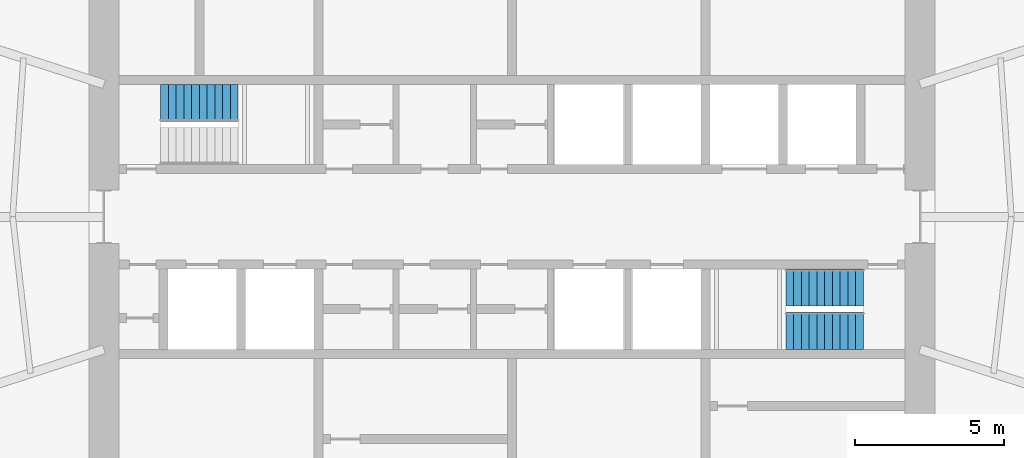
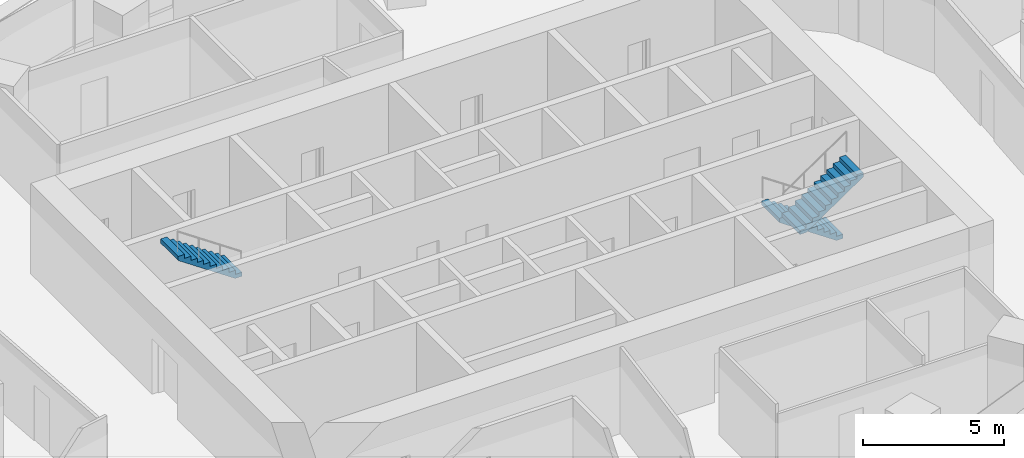
# One storey, part 15 of 17: 3 stair flights, 2 elements without a shape of their own.
"""IFC4 building model written with IfcOpenShell, lengths in metres."""

from ifc_helpers import new_model, si_unit, direction, frame, origin, place, context, subcontext, project, spatial, polyline, outline, extrude, material, type_object, element, aggregate, save


model = new_model("IFC4")

# Units and contexts
model_context = context("Model", 3, precision=1e-05, world=origin(), true_north=direction((0.0, 1.0)))
body_context = subcontext(model_context, "Body", "Model", "MODEL_VIEW")
ifc_project = project(units=[si_unit("LENGTHUNIT", "METRE"), si_unit("AREAUNIT", "SQUARE_METRE"), si_unit("VOLUMEUNIT", "CUBIC_METRE"), si_unit("PLANEANGLEUNIT", "RADIAN"), si_unit("MASSUNIT", "GRAM", prefix="KILO")], contexts=[model_context])

# Site, building, storey
site_placement = place(None, origin())
site = spatial("IfcSite", under=ifc_project, at=site_placement, CompositionType="ELEMENT")
building_placement = place(site_placement, origin())
building = spatial("IfcBuilding", under=site, at=building_placement, Name="Marramba Exchange Tower", CompositionType="ELEMENT")
storey_placement = place(building_placement, frame((0.0, 0.0, 172.10009765625)))
storey = spatial("IfcBuildingStorey", under=building, at=storey_placement, Name="L41", CompositionType="ELEMENT", Elevation=172.10009765625)

# Stair, stair flight
ifc_material = material(Name="Concrete N40 (40 MPa)", Category="concrete")
stair_type_1 = type_object("IfcStairType", Name="Exit stair ST1 3900 x 1250", PredefinedType="HALF_TURN_STAIR", material=ifc_material)
stair_1_placement = place(storey_placement, origin())
stair_1 = element("IfcStair", 1, at=stair_1_placement, inside=storey, type_object=stair_type_1, Name="Exit stair ST1 L41", PredefinedType="HALF_TURN_STAIR")
stair_flight_type_1 = type_object("IfcStairFlightType", Name="ST1 stair flight 1773 riser 1250 wide", PredefinedType="STRAIGHT", material=ifc_material)
stair_flight_1_placement = place(storey_placement, frame((-9.199951171875, 3.824951171875, 1.949951171875), z_axis=(0.0, 0.0, 1.0), x_axis=(-1.0, 0.0, 0.0)))
stair_flight_1 = element("IfcStairFlight", 2, at=stair_flight_1_placement, type_object=stair_flight_type_1, Name="ST1 flight 2", NumberOfRisers=11, NumberOfTreads=10, PredefinedType="STRAIGHT", RiserHeight=0.177272727, TreadLength=0.26, context=body_context, shape_type="SweptSolid", body=[
    extrude(outline(polyline([(0.0, 0.0), (0.0, 0.17724609375), (0.260009765625, 0.17724609375), (0.260009765625, 0.3544921875), (0.52001953125, 0.3544921875), (0.52001953125, 0.53173828125), (0.780029296875, 0.53173828125), (0.780029296875, 0.708984375), (1.0400390625, 0.708984375), (1.0400390625, 0.886474609375), (1.300048828125, 0.886474609375), (1.300048828125, 1.063720703125), (1.56005859375, 1.063720703125), (1.56005859375, 1.240966796875), (1.820068359375, 1.240966796875), (1.820068359375, 1.418212890625), (2.080078125, 1.418212890625), (2.080078125, 1.595458984375), (2.340087890625, 1.595458984375), (2.340087890625, 1.772705078125), (2.60009765625, 1.772705078125), (2.60009765625, 1.949951171875), (2.60009765625, 1.59130859375), (0.26611328125, 0.0), (0.0, 0.0)])), frame((0.0, 0.625, 0.0), z_axis=(0.0, -1.0, 0.0), x_axis=(1.0, 0.0, 0.0)), (0.0, 0.0, 1.0), 1.25),
])
aggregate(stair_1, [stair_flight_1])

# Stair, stair flights
stair_type_2 = type_object("IfcStairType", Name="Exit stair ST2 3900 x 1250", PredefinedType="HALF_TURN_STAIR", material=ifc_material)
stair_2_placement = place(storey_placement, origin())
stair_2 = element("IfcStair", 3, at=stair_2_placement, inside=storey, type_object=stair_type_2, Name="Exit stair ST2 L41", PredefinedType="HALF_TURN_STAIR")
stair_flight_type_2 = type_object("IfcStairFlightType", Name="ST2 stair flight 1773 riser 1250 wide", PredefinedType="STRAIGHT", material=ifc_material)
stair_flight_2_placement = place(storey_placement, frame((11.800048828125, -2.375, 0.0), z_axis=(0.0, 0.0, 1.0), x_axis=(-1.0, 0.0, 0.0)))
stair_flight_2 = element("IfcStairFlight", 4, at=stair_flight_2_placement, type_object=stair_flight_type_2, Name="ST2 flight 1", NumberOfRisers=11, NumberOfTreads=10, PredefinedType="STRAIGHT", RiserHeight=0.177272727, TreadLength=0.26, context=body_context, shape_type="SweptSolid", body=[
    extrude(outline(polyline([(0.0, 0.0), (0.0, 0.17724609375), (0.260009765625, 0.17724609375), (0.260009765625, 0.3544921875), (0.52001953125, 0.3544921875), (0.52001953125, 0.53173828125), (0.780029296875, 0.53173828125), (0.780029296875, 0.708984375), (1.0400390625, 0.708984375), (1.0400390625, 0.886474609375), (1.300048828125, 0.886474609375), (1.300048828125, 1.063720703125), (1.56005859375, 1.063720703125), (1.56005859375, 1.240966796875), (1.820068359375, 1.240966796875), (1.820068359375, 1.418212890625), (2.080078125, 1.418212890625), (2.080078125, 1.595458984375), (2.340087890625, 1.595458984375), (2.340087890625, 1.772705078125), (2.60009765625, 1.772705078125), (2.60009765625, 1.949951171875), (2.60009765625, 1.59130859375), (0.26611328125, 0.0), (0.0, 0.0)])), frame((0.0, 0.625, 0.0), z_axis=(0.0, -1.0, 0.0), x_axis=(1.0, 0.0, 0.0)), (0.0, 0.0, 1.0), 1.25),
])
stair_flight_3_placement = place(storey_placement, frame((9.199951171875, -3.824951171875, 1.949951171875), z_axis=(0.0, 0.0, 1.0), x_axis=(1.0, 0.0, 0.0)))
stair_flight_3 = element("IfcStairFlight", 5, at=stair_flight_3_placement, type_object=stair_flight_type_2, Name="ST2 flight 2", NumberOfRisers=11, NumberOfTreads=10, PredefinedType="STRAIGHT", RiserHeight=0.177272727, TreadLength=0.26, context=body_context, shape_type="SweptSolid", body=[
    extrude(outline(polyline([(0.0, 0.0), (0.0, 0.17724609375), (0.260009765625, 0.17724609375), (0.260009765625, 0.3544921875), (0.52001953125, 0.3544921875), (0.52001953125, 0.53173828125), (0.780029296875, 0.53173828125), (0.780029296875, 0.708984375), (1.0400390625, 0.708984375), (1.0400390625, 0.886474609375), (1.300048828125, 0.886474609375), (1.300048828125, 1.063720703125), (1.56005859375, 1.063720703125), (1.56005859375, 1.240966796875), (1.820068359375, 1.240966796875), (1.820068359375, 1.418212890625), (2.080078125, 1.418212890625), (2.080078125, 1.595458984375), (2.340087890625, 1.595458984375), (2.340087890625, 1.772705078125), (2.60009765625, 1.772705078125), (2.60009765625, 1.949951171875), (2.60009765625, 1.59130859375), (0.26611328125, 0.0), (0.0, 0.0)])), frame((0.0, 0.625, 0.0), z_axis=(0.0, -1.0, 0.0), x_axis=(1.0, 0.0, 0.0)), (0.0, 0.0, 1.0), 1.25),
])
aggregate(stair_2, [stair_flight_2, stair_flight_3])

save(model, "model.ifc")
